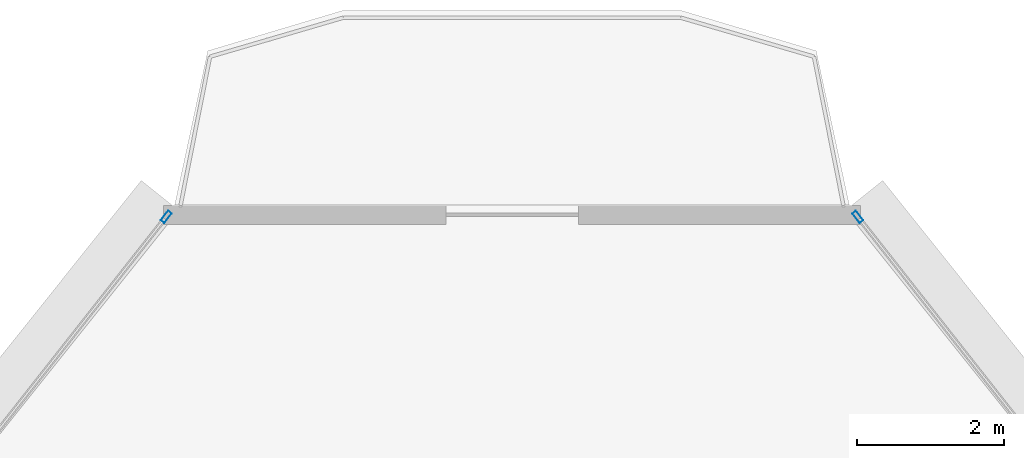
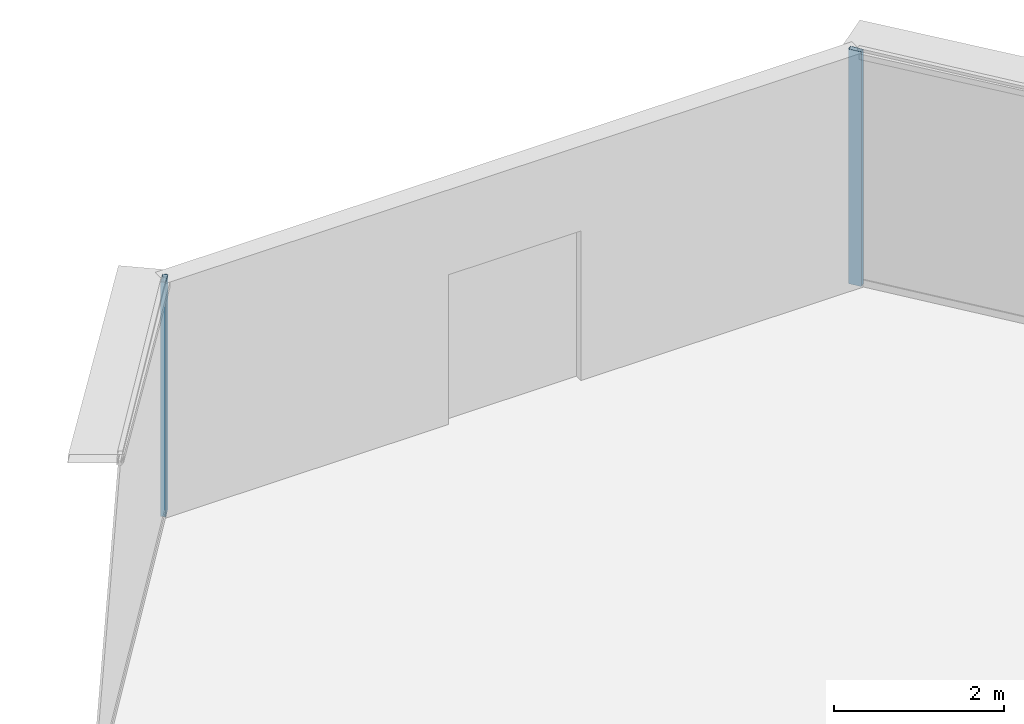
# One storey, part 26 of 37: 2 members, 2 elements without a shape of their own.
"""IFC4 building model written with IfcOpenShell, lengths in metres."""

import ifcopenshell
import ifcopenshell.guid

model = None  # the IFC model being written
_history = None  # IfcOwnerHistory: only IFC2X3 demands one
_inside = {}  # id of a spatial element -> (the spatial element, [elements in it])
_under = {}  # id of a project, library or spatial element -> (it, [spatial elements below it])
_declared = {}  # id of a project -> (the project, [libraries it declares])
_typed = {}  # id of a type object -> (the type object, [elements of that type])
_made_of = {}  # id of a material, layer set ... -> (it, [elements and type objects made of it])


def new_model(schema):
    """Start an empty IFC model of exactly this schema.

    Asked for "IFC4X3", IfcOpenShell would pick the latest addendum, in which some entities
    have other attributes; the version numbers below select the first issue.
    IFC2X3 requires an IfcOwnerHistory on every rooted entity: one is made here for all.
    """
    global model, _history
    if schema == "IFC4X3":
        model = ifcopenshell.file(schema_version=(4, 3, 0, 0))
    else:
        model = ifcopenshell.file(schema=schema)
    _inside.clear()
    _under.clear()
    _declared.clear()
    _typed.clear()
    _made_of.clear()
    _history = None
    if model.schema == "IFC2X3":
        org = make("IfcOrganization", Name="unknown")
        user = make(
            "IfcPersonAndOrganization",
            ThePerson=make("IfcPerson", FamilyName="unknown"),
            TheOrganization=org,
        )
        app = make(
            "IfcApplication",
            ApplicationDeveloper=org,
            Version="unknown",
            ApplicationFullName="unknown",
            ApplicationIdentifier="unknown",
        )
        _history = make(
            "IfcOwnerHistory",
            OwningUser=user,
            OwningApplication=app,
            ChangeAction="ADDED",
            CreationDate=0,
        )
    return model


def make(cls, **values):
    """One entity of the class cls with the attributes given. An attribute that is None is left unset."""
    return model.create_entity(
        cls, **{name: value for name, value in values.items() if value is not None}
    )


def rooted(cls, **values):
    """An entity with a GlobalId (a new one), such as an element, a storey or a relation."""
    return make(cls, GlobalId=ifcopenshell.guid.new(), OwnerHistory=_history, **values)


def si_unit(unit_type, name, prefix=None):
    """IfcSIUnit, for example si_unit("LENGTHUNIT", "METRE", prefix="MILLI")."""
    return make("IfcSIUnit", UnitType=unit_type, Prefix=prefix, Name=name)


def assignment(units):
    """IfcUnitAssignment: the units of a project."""
    return None if units is None else make("IfcUnitAssignment", Units=units)


def point(xyz):
    """IfcCartesianPoint."""
    return None if xyz is None else make("IfcCartesianPoint", Coordinates=xyz)


def direction(xyz):
    """IfcDirection."""
    return None if xyz is None else make("IfcDirection", DirectionRatios=xyz)


def frame(location, z_axis=None, x_axis=None):
    """IfcAxis2Placement3D, a coordinate frame: its origin and axes. An axis left out is left unset."""
    return make(
        "IfcAxis2Placement3D",
        Location=point(location),
        Axis=direction(z_axis),
        RefDirection=direction(x_axis),
    )


def frame_2d(location, x_axis=None):
    """IfcAxis2Placement2D, a coordinate frame in the plane: its origin and x axis."""
    return make(
        "IfcAxis2Placement2D", Location=point(location), RefDirection=direction(x_axis)
    )


def origin():
    """The frame at (0, 0, 0) with its axes left unset."""
    return frame((0.0, 0.0, 0.0))


def origin_2d():
    """The frame at (0, 0) in the plane with its x axis left unset."""
    return frame_2d((0.0, 0.0))


def place(relative_to, where):
    """IfcLocalPlacement: puts the frame where relative to a parent placement (None: the world)."""
    return make(
        "IfcLocalPlacement", PlacementRelTo=relative_to, RelativePlacement=where
    )


def context(
    kind, dimensions, precision=None, world=None, true_north=None, identifier=None
):
    """IfcGeometricRepresentationContext, for example the 3D "Model" context."""
    return make(
        "IfcGeometricRepresentationContext",
        ContextIdentifier=identifier,
        ContextType=kind,
        CoordinateSpaceDimension=dimensions,
        Precision=precision,
        WorldCoordinateSystem=world,
        TrueNorth=true_north,
    )


def subcontext(parent, identifier, kind, view, scale=None):
    """IfcGeometricRepresentationSubContext, for example "Body" below "Model"."""
    return make(
        "IfcGeometricRepresentationSubContext",
        ContextIdentifier=identifier,
        ContextType=kind,
        ParentContext=parent,
        TargetScale=scale,
        TargetView=view,
    )


def project(units=None, contexts=None):
    """IfcProject with its units and contexts."""
    return rooted(
        "IfcProject",
        Name="project",
        RepresentationContexts=contexts,
        UnitsInContext=assignment(units),
    )


def spatial(cls, under=None, at=None, **own):
    """A site, building, storey or space (cls), placed at a placement, below another one or the project."""
    s = rooted(cls, ObjectPlacement=at, **own)
    if under is not None:
        _under.setdefault(under.id(), (under, []))[1].append(s)
    return s


def profile(cls, at=None, kind="AREA", **sizes):
    """A parametric profile (cls). Its sizes go by their IFC names, for example OverallWidth=200.0."""
    return make(cls, ProfileType=kind, Position=at, **sizes)


def hollow_rectangle(**sizes):
    """IfcRectangleHollowProfileDef."""
    return profile("IfcRectangleHollowProfileDef", **sizes)


def extrude(swept, where, along, depth):
    """IfcExtrudedAreaSolid: the profile swept, set in the frame where, extruded along a direction by depth."""
    return make(
        "IfcExtrudedAreaSolid",
        SweptArea=swept,
        Position=where,
        ExtrudedDirection=direction(along),
        Depth=depth,
    )


def shape(context_of_items, identifier, shape_type, items):
    """IfcShapeRepresentation: the items that make up one representation, for example the "Body"."""
    return make(
        "IfcShapeRepresentation",
        ContextOfItems=context_of_items,
        RepresentationIdentifier=identifier,
        RepresentationType=shape_type,
        Items=items,
    )


def source(mapping_origin, context_of_items, identifier, shape_type, items):
    """IfcRepresentationMap: a shape defined once, which mapped items show again and again."""
    return make(
        "IfcRepresentationMap",
        MappingOrigin=mapping_origin,
        MappedRepresentation=shape(context_of_items, identifier, shape_type, items),
    )


def transform(
    local_origin,
    x_axis=None,
    y_axis=None,
    z_axis=None,
    scale=None,
    scale2=None,
    scale3=None,
    uniform=True,
):
    """IfcCartesianTransformationOperator3D, or its non-uniform kind. x_axis, y_axis, z_axis: its Axis1, 2, 3."""
    if uniform:
        return make(
            "IfcCartesianTransformationOperator3D",
            Axis1=direction(x_axis),
            Axis2=direction(y_axis),
            LocalOrigin=point(local_origin),
            Scale=scale,
            Axis3=direction(z_axis),
        )
    return make(
        "IfcCartesianTransformationOperator3DnonUniform",
        Axis1=direction(x_axis),
        Axis2=direction(y_axis),
        LocalOrigin=point(local_origin),
        Scale=scale,
        Axis3=direction(z_axis),
        Scale2=scale2,
        Scale3=scale3,
    )


def mapped(mapping_source, mapping_target):
    """IfcMappedItem: shows the shape of a source again, moved by a transform."""
    return make(
        "IfcMappedItem", MappingSource=mapping_source, MappingTarget=mapping_target
    )


def material(Name=None, Category=None):
    """IfcMaterial."""
    return make("IfcMaterial", Name=Name, Category=Category)


def layer(
    of_material, thickness, ventilated=None, Name=None, Category=None, Priority=None
):
    """IfcMaterialLayer: one layer of a wall or slab, of a material (None: an air gap)."""
    return make(
        "IfcMaterialLayer",
        Material=of_material,
        LayerThickness=thickness,
        IsVentilated=ventilated,
        Name=Name,
        Category=Category,
        Priority=Priority,
    )


def layer_set(layers, Name=None):
    """IfcMaterialLayerSet."""
    return make("IfcMaterialLayerSet", MaterialLayers=layers, LayerSetName=Name)


def material_profile(
    of_material, cross_section, Name=None, Category=None, Priority=None
):
    """IfcMaterialProfile: a cross section and its material."""
    return make(
        "IfcMaterialProfile",
        Name=Name,
        Material=of_material,
        Profile=cross_section,
        Priority=Priority,
        Category=Category,
    )


def profile_set(profiles, Name=None, composite=None):
    """IfcMaterialProfileSet."""
    return make(
        "IfcMaterialProfileSet",
        Name=Name,
        MaterialProfiles=profiles,
        CompositeProfile=composite,
    )


def made_of(thing, what):
    """Note that an element or type object is made of a material, layer set ...; save() writes the relation."""
    if what is not None:
        _made_of.setdefault(what.id(), (what, []))[1].append(thing)
    return thing


def type_object(cls, material=None, **own):
    """A type object (cls), such as IfcWallType, which elements share."""
    return made_of(rooted(cls, **own), material)


def element(
    cls,
    number,
    at=None,
    inside=None,
    cuts=None,
    type_object=None,
    material=None,
    context=None,
    identifier="Body",
    shape_type=None,
    held_by="IfcProductDefinitionShape",
    body=None,
    shapes=None,
    **own,
):
    """One element of the class cls, such as IfcWall. Its Tag is "e" and its number.

    at: its placement. inside: the storey or other place that contains it. cuts: it is an
    opening in that element (IfcRelVoidsElement). A single representation is given by context,
    identifier, shape_type and body (its items); several are given by shapes. held_by: the class
    of the entity that holds the representations. save() writes the other relations.
    """
    e = rooted(cls, Tag="e%d" % number, ObjectPlacement=at, **own)
    if body is not None:
        shapes = [shape(context, identifier, shape_type, body)]
    if shapes is not None:
        e.Representation = make(held_by, Representations=shapes)
    if inside is not None:
        _inside.setdefault(inside.id(), (inside, []))[1].append(e)
    if cuts is not None:
        rooted(
            "IfcRelVoidsElement", RelatingBuildingElement=cuts, RelatedOpeningElement=e
        )
    if type_object is not None:
        _typed.setdefault(type_object.id(), (type_object, []))[1].append(e)
    return made_of(e, material)


def aggregate(whole, parts):
    """IfcRelAggregates: a whole, such as a stair, and the parts it consists of."""
    return rooted("IfcRelAggregates", RelatingObject=whole, RelatedObjects=parts)


def save(model, path):
    """Write the relations noted so far, then the file.

    IfcRelAggregates (storeys below a building ...), IfcRelContainedInSpatialStructure (elements
    in a storey), IfcRelDefinesByType, IfcRelAssociatesMaterial and IfcRelDeclares: one each for
    every whole, place, type object, material and project.
    """
    for whole, parts in _under.values():
        aggregate(whole, parts)
    for where, things in _inside.values():
        rooted(
            "IfcRelContainedInSpatialStructure",
            RelatedElements=things,
            RelatingStructure=where,
        )
    for kind, things in _typed.values():
        rooted("IfcRelDefinesByType", RelatedObjects=things, RelatingType=kind)
    for what, things in _made_of.values():
        rooted("IfcRelAssociatesMaterial", RelatedObjects=things, RelatingMaterial=what)
    for by, libraries in _declared.values():
        rooted("IfcRelDeclares", RelatingContext=by, RelatedDefinitions=libraries)
    model.write(path)


model = new_model("IFC4")

# Units and contexts
model_context = context("Model", 3, precision=1e-05, world=origin(), true_north=direction((0.0, 1.0)))
body_context = subcontext(model_context, "Body", "Model", "MODEL_VIEW")
ifc_project = project(units=[si_unit("LENGTHUNIT", "METRE"), si_unit("AREAUNIT", "SQUARE_METRE"), si_unit("VOLUMEUNIT", "CUBIC_METRE"), si_unit("PLANEANGLEUNIT", "RADIAN"), si_unit("MASSUNIT", "GRAM", prefix="KILO"), si_unit("THERMODYNAMICTEMPERATUREUNIT", "KELVIN"), si_unit("POWERUNIT", "WATT")], contexts=[model_context])

# Site, building, storey
site_placement = place(None, origin())
site = spatial("IfcSite", under=ifc_project, at=site_placement, CompositionType="ELEMENT")
building_placement = place(site_placement, origin())
building = spatial("IfcBuilding", under=site, at=building_placement, Name="Yunzhuo Pagoda Commons", CompositionType="ELEMENT")
storey_placement = place(building_placement, frame((0.0, 0.0, 52.179931640625)))
storey = spatial("IfcBuildingStorey", under=building, at=storey_placement, Name="L13", CompositionType="ELEMENT", Elevation=52.179931640625)

# Curtain wall, member
ifc_material = material(Name="Anodized aluminium 6063-T6", Category="aluminium")
ifc_layer = layer(ifc_material, 0.1650390625)
ifc_layer_set = layer_set([ifc_layer], Name="Anodized aluminium 6063-T6")
curtain_wall_type = type_object("IfcCurtainWallType", Name="CW-LOW Low-Zone Ribbon Curtain Wall", PredefinedType="NOTDEFINED", material=ifc_layer_set)
curtain_wall_1_placement = place(storey_placement, origin())
curtain_wall_1 = element("IfcCurtainWall", 1, at=curtain_wall_1_placement, inside=storey, type_object=curtain_wall_type, Name="L13 curtain wall CW-L13-F2B5", PredefinedType="NOTDEFINED")
ifc_material_profile = material_profile(ifc_material, hollow_rectangle(XDim=0.06494140625, YDim=0.1650390625, WallThickness=0.00390625, at=origin_2d()), Name="Anodized aluminium 6063-T6")
ifc_profile_set = profile_set([ifc_material_profile], Name="Anodized aluminium 6063-T6")
member_type = type_object("IfcMemberType", Name="CW-LOW-M Mullion RHS 165x65x4", PredefinedType="MULLION", material=ifc_profile_set)
shared_shape = source(origin(), body_context, "Body", "SweptSolid", [
    extrude(hollow_rectangle(XDim=0.06494140625, YDim=0.1650390625, WallThickness=0.00390625, at=origin_2d()), origin(), (0.0, 0.0, 1.0), 3.3701171875),
])
member_1_placement = place(storey_placement, frame((52.6982421875, 88.124755859375, 0.0), z_axis=(0.0, 0.0, 1.0), x_axis=(-0.785963833081, -0.618272474794, 0.0)))
member_1 = element("IfcMember", 2, at=member_1_placement, type_object=member_type, Name="CW mullion 2", PredefinedType="MULLION", context=body_context, shape_type="MappedRepresentation", body=[
    mapped(shared_shape, transform((0.0, 0.0, 0.0), scale=1.0)),
])
aggregate(curtain_wall_1, [member_1])

curtain_wall_2_placement = place(storey_placement, origin())
curtain_wall_2 = element("IfcCurtainWall", 3, at=curtain_wall_2_placement, inside=storey, type_object=curtain_wall_type, Name="L13 curtain wall CW-L13-F3B1", PredefinedType="NOTDEFINED")
member_2_placement = place(storey_placement, frame((43.3017578125, 88.124755859375, 0.0), z_axis=(0.0, 0.0, 1.0), x_axis=(0.785963833081, -0.618272474794, 0.0)))
member_2 = element("IfcMember", 4, at=member_2_placement, type_object=member_type, Name="CW mullion 1", PredefinedType="MULLION", context=body_context, shape_type="MappedRepresentation", body=[
    mapped(shared_shape, transform((0.0, 0.0, 0.0), scale=1.0)),
])
aggregate(curtain_wall_2, [member_2])

save(model, "model.ifc")
